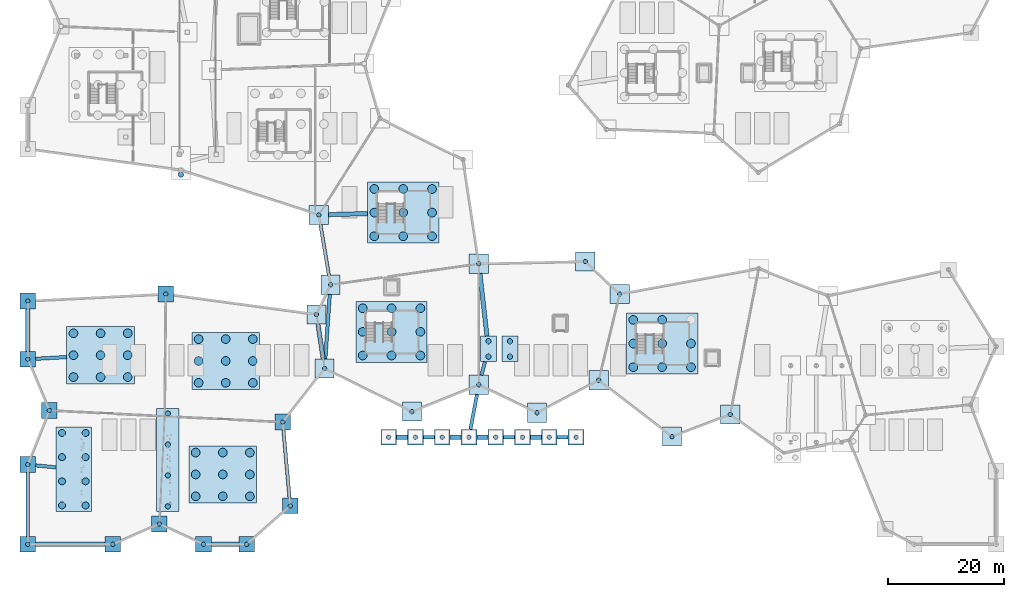
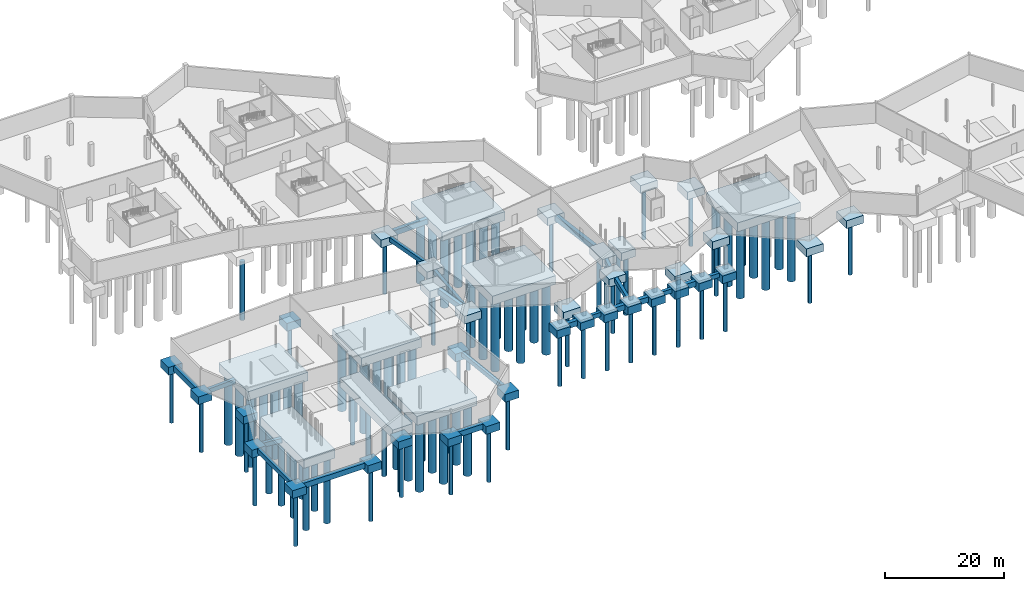
# One storey, part 1 of 37: 103 piles, 64 footings.
"""IFC4 building model written with IfcOpenShell, lengths in metres."""

from ifc_helpers import new_model, si_unit, direction, frame, origin, origin_2d, place, context, subcontext, project, spatial, rectangle, circle, extrude, material, material_profile, profile_set, type_object, element, save


model = new_model("IFC4")

# Units and contexts
model_context = context("Model", 3, precision=1e-05, world=origin(), true_north=direction((0.0, 1.0)))
body_context = subcontext(model_context, "Body", "Model", "MODEL_VIEW")
ifc_project = project(units=[si_unit("LENGTHUNIT", "METRE"), si_unit("AREAUNIT", "SQUARE_METRE"), si_unit("VOLUMEUNIT", "CUBIC_METRE"), si_unit("PLANEANGLEUNIT", "RADIAN"), si_unit("MASSUNIT", "GRAM", prefix="KILO")], contexts=[model_context])

# Site, building, storey
site_placement = place(None, origin())
site = spatial("IfcSite", under=ifc_project, at=site_placement, CompositionType="ELEMENT")
building_placement = place(site_placement, origin())
building = spatial("IfcBuilding", under=site, at=building_placement, Name="Tameran Prism Museum", CompositionType="ELEMENT")
storey_placement = place(building_placement, frame((0.0, 0.0, -4.5)))
storey = spatial("IfcBuildingStorey", under=building, at=storey_placement, Name="B1", CompositionType="ELEMENT", Elevation=-4.5)

# Footings
ifc_material_1 = material(Name="Concrete N40 (40 MPa)", Category="concrete")
ifc_material_profile_1 = material_profile(ifc_material_1, rectangle(XDim=0.60009765625, YDim=0.89990234375, at=origin_2d()))
ifc_profile_set_1 = profile_set([ifc_material_profile_1])
footing_type_1 = type_object("IfcFootingType", Name="FT-GB600", PredefinedType="FOOTING_BEAM", material=ifc_profile_set_1)
footing_1_placement = place(storey_placement, frame((0.0, 1.35009765625, -0.8701171875), z_axis=(0.0, 1.0, 0.0), x_axis=(-1.0, 0.0, 0.0)))
element("IfcFooting", 1, at=footing_1_placement, inside=storey, type_object=footing_type_1, Name="Ground Beam GB-001", PredefinedType="FOOTING_BEAM", context=body_context, shape_type="SweptSolid", body=[
    extrude(rectangle(XDim=0.60009765625, YDim=0.89990234375, at=origin_2d()), origin(), (0.0, 0.0, 1.0), 11.0),
])
footing_2_placement = place(storey_placement, frame((1.35009765625, 13.56298828125, -0.8701171875), z_axis=(0.994923862367, -0.100630552485, 0.0), x_axis=(0.100630552485, 0.994923862367, 0.0)))
element("IfcFooting", 2, at=footing_2_placement, inside=storey, type_object=footing_type_1, Name="Ground Beam GB-003", PredefinedType="FOOTING_BEAM", context=body_context, shape_type="SweptSolid", body=[
    extrude(rectangle(XDim=0.60009765625, YDim=0.89990234375, at=origin_2d()), origin(), (0.0, 0.0, 1.0), 3.517822265625),
])
footing_3_placement = place(storey_placement, frame((1.35009765625, 31.8759765625, -0.8701171875), z_axis=(0.998433733687, 0.055947112842, 0.0), x_axis=(-0.055947112842, 0.998433733687, 0.0)))
element("IfcFooting", 3, at=footing_3_placement, inside=storey, type_object=footing_type_1, Name="Ground Beam GB-005", PredefinedType="FOOTING_BEAM", context=body_context, shape_type="SweptSolid", body=[
    extrude(rectangle(XDim=0.60009765625, YDim=0.89990234375, at=origin_2d()), origin(), (0.0, 0.0, 1.0), 5.328125),
])
footing_4_placement = place(storey_placement, frame((43.922119140625, 19.64990234375, -0.8701171875), z_axis=(0.089883638003, -0.995952273766, 0.0), x_axis=(0.995952273766, 0.089883638003, 0.0)))
element("IfcFooting", 4, at=footing_4_placement, inside=storey, type_object=footing_type_1, Name="Ground Beam GB-021", PredefinedType="FOOTING_BEAM", context=body_context, shape_type="SweptSolid", body=[
    extrude(rectangle(XDim=0.60009765625, YDim=0.89990234375, at=origin_2d()), origin(), (0.0, 0.0, 1.0), 11.74755859375),
])
footing_5_placement = place(storey_placement, frame((50.27490234375, 54.949951171875, -0.8701171875), z_axis=(0.164421430811, -0.986390182986, 0.0), x_axis=(0.986390182986, 0.164421430811, 0.0)))
element("IfcFooting", 5, at=footing_5_placement, inside=storey, type_object=footing_type_1, Name="Ground Beam GB-023", PredefinedType="FOOTING_BEAM", context=body_context, shape_type="SweptSolid", body=[
    extrude(rectangle(XDim=0.60009765625, YDim=0.89990234375, at=origin_2d()), origin(), (0.0, 0.0, 1.0), 8.820068359375),
])
footing_6_placement = place(storey_placement, frame((51.114990234375, 31.85009765625, -0.8701171875), z_axis=(0.069205718712, 0.99760241003, 0.0), x_axis=(-0.99760241003, 0.069205718712, 0.0)))
element("IfcFooting", 6, at=footing_6_placement, inside=storey, type_object=footing_type_1, Name="Ground Beam GB-025", PredefinedType="FOOTING_BEAM", context=body_context, shape_type="SweptSolid", body=[
    extrude(rectangle(XDim=0.60009765625, YDim=0.89990234375, at=origin_2d()), origin(), (0.0, 0.0, 1.0), 11.12646484375),
])
footing_7_placement = place(storey_placement, frame((67.949951171875, 18.39990234375, -0.8701171875), z_axis=(1.0, 0.0, 0.0), x_axis=(0.0, 1.0, 0.0)))
element("IfcFooting", 7, at=footing_7_placement, inside=storey, type_object=footing_type_1, Name="Ground Beam GB-027", PredefinedType="FOOTING_BEAM", context=body_context, shape_type="SweptSolid", body=[
    extrude(rectangle(XDim=0.60009765625, YDim=0.89990234375, at=origin_2d()), origin(), (0.0, 0.0, 1.0), 1.900146484375),
])
footing_8_placement = place(storey_placement, frame((76.054931640625, 19.75, -0.8701171875), z_axis=(0.185563021119, 0.982632365228, 0.0), x_axis=(-0.982632365228, 0.185563021119, 0.0)))
element("IfcFooting", 8, at=footing_8_placement, inside=storey, type_object=footing_type_1, Name="Ground Beam GB-029", PredefinedType="FOOTING_BEAM", context=body_context, shape_type="SweptSolid", body=[
    extrude(rectangle(XDim=0.60009765625, YDim=0.89990234375, at=origin_2d()), origin(), (0.0, 0.0, 1.0), 6.10595703125),
])
footing_9_placement = place(storey_placement, frame((77.94091796875, 29.050048828125, -0.8701171875), z_axis=(0.258598895257, 0.965984788375, 0.0), x_axis=(-0.965984788375, 0.258598895257, 0.0)))
element("IfcFooting", 9, at=footing_9_placement, inside=storey, type_object=footing_type_1, Name="Ground Beam GB-031", PredefinedType="FOOTING_BEAM", context=body_context, shape_type="SweptSolid", body=[
    extrude(rectangle(XDim=0.60009765625, YDim=0.89990234375, at=origin_2d()), origin(), (0.0, 0.0, 1.0), 2.40185546875),
])
footing_10_placement = place(storey_placement, frame((81.75, 18.39990234375, -0.8701171875), z_axis=(1.0, 0.0, 0.0), x_axis=(0.0, 1.0, 0.0)))
element("IfcFooting", 10, at=footing_10_placement, inside=storey, type_object=footing_type_1, Name="Ground Beam GB-033", PredefinedType="FOOTING_BEAM", context=body_context, shape_type="SweptSolid", body=[
    extrude(rectangle(XDim=0.60009765625, YDim=0.89990234375, at=origin_2d()), origin(), (0.0, 0.0, 1.0), 1.89990234375),
])
footing_11_placement = place(storey_placement, frame((90.949951171875, 18.39990234375, -0.8701171875), z_axis=(1.0, 0.0, 0.0), x_axis=(0.0, 1.0, 0.0)))
element("IfcFooting", 11, at=footing_11_placement, inside=storey, type_object=footing_type_1, Name="Ground Beam GB-035", PredefinedType="FOOTING_BEAM", context=body_context, shape_type="SweptSolid", body=[
    extrude(rectangle(XDim=0.60009765625, YDim=0.89990234375, at=origin_2d()), origin(), (0.0, 0.0, 1.0), 1.900146484375),
])
ifc_material_2 = material(Name="Concrete N40 (40 MPa)", Category="concrete")
ifc_material_profile_2 = material_profile(ifc_material_2, rectangle(XDim=0.75, YDim=1.10009765625, at=origin_2d()))
ifc_profile_set_2 = profile_set([ifc_material_profile_2])
footing_type_2 = type_object("IfcFootingType", Name="FT-GB750", PredefinedType="FOOTING_BEAM", material=ifc_profile_set_2)
footing_12_placement = place(storey_placement, frame((1.35009765625, 0.0, -0.969970703125), z_axis=(1.0, 0.0, 0.0), x_axis=(0.0, 1.0, 0.0)))
element("IfcFooting", 12, at=footing_12_placement, inside=storey, type_object=footing_type_2, Name="Ground Beam GB-002", PredefinedType="FOOTING_BEAM", context=body_context, shape_type="SweptSolid", body=[
    extrude(rectangle(XDim=0.75, YDim=1.10009765625, at=origin_2d()), origin(), (0.0, 0.0, 1.0), 11.89990234375),
])
footing_13_placement = place(storey_placement, frame((0.0, 33.14990234375, -0.969970703125), z_axis=(0.0, 1.0, 0.0), x_axis=(-1.0, 0.0, 0.0)))
element("IfcFooting", 13, at=footing_13_placement, inside=storey, type_object=footing_type_2, Name="Ground Beam GB-004", PredefinedType="FOOTING_BEAM", context=body_context, shape_type="SweptSolid", body=[
    extrude(rectangle(XDim=0.75, YDim=1.10009765625, at=origin_2d()), origin(), (0.0, 0.0, 1.0), 7.300048828125),
])
footing_14_placement = place(storey_placement, frame((31.550048828125, 0.0, -0.969970703125), z_axis=(1.0, 0.0, 0.0), x_axis=(0.0, 1.0, 0.0)))
element("IfcFooting", 14, at=footing_14_placement, inside=storey, type_object=footing_type_2, Name="Ground Beam GB-016", PredefinedType="FOOTING_BEAM", context=body_context, shape_type="SweptSolid", body=[
    extrude(rectangle(XDim=0.75, YDim=1.10009765625, at=origin_2d()), origin(), (0.0, 0.0, 1.0), 4.699951171875),
])
footing_15_placement = place(storey_placement, frame((49.847900390625, 37.85009765625, -0.969970703125), z_axis=(0.14899363954, -0.988838154288, 0.0), x_axis=(0.988838154288, 0.14899363954, 0.0)))
element("IfcFooting", 15, at=footing_15_placement, inside=storey, type_object=footing_type_2, Name="Ground Beam GB-022", PredefinedType="FOOTING_BEAM", context=body_context, shape_type="SweptSolid", body=[
    extrude(rectangle(XDim=0.75, YDim=1.10009765625, at=origin_2d()), origin(), (0.0, 0.0, 1.0), 6.067626953125),
])
footing_16_placement = place(storey_placement, frame((51.64990234375, 56.64599609375, -0.969970703125), z_axis=(0.999621055778, 0.027527165599, 0.0), x_axis=(-0.027527165599, 0.999621055778, 0.0)))
element("IfcFooting", 16, at=footing_16_placement, inside=storey, type_object=footing_type_2, Name="Ground Beam GB-024", PredefinedType="FOOTING_BEAM", context=body_context, shape_type="SweptSolid", body=[
    extrude(rectangle(XDim=0.75, YDim=1.10009765625, at=origin_2d()), origin(), (0.0, 0.0, 1.0), 6.72265625),
])
for number, where, z_axis, x_axis, name in (
    (17, (63.35009765625, 18.39990234375, -0.969970703125), (1.0, 0.0, 0.0), (0.0, 1.0, 0.0), "Ground Beam GB-026"),
    (18, (72.550048828125, 18.39990234375, -0.969970703125), (1.0, 0.0, 0.0), (0.0, 1.0, 0.0), "Ground Beam GB-028"),
):
    element("IfcFooting", number, at=place(storey_placement, frame(where, z_axis=z_axis, x_axis=x_axis)), inside=storey, type_object=footing_type_2, Name=name, PredefinedType="FOOTING_BEAM", context=body_context, shape_type="SweptSolid", body=[
        extrude(rectangle(XDim=0.75, YDim=1.10009765625, at=origin_2d()), origin(), (0.0, 0.0, 1.0), 1.89990234375),
    ])
footing_17_placement = place(storey_placement, frame((77.14990234375, 18.39990234375, -0.969970703125), z_axis=(1.0, 0.0, 0.0), x_axis=(0.0, 1.0, 0.0)))
element("IfcFooting", 19, at=footing_17_placement, inside=storey, type_object=footing_type_2, Name="Ground Beam GB-030", PredefinedType="FOOTING_BEAM", context=body_context, shape_type="SweptSolid", body=[
    extrude(rectangle(XDim=0.75, YDim=1.10009765625, at=origin_2d()), origin(), (0.0, 0.0, 1.0), 1.900146484375),
])
footing_18_placement = place(storey_placement, frame((77.68603515625, 46.550048828125, -0.969970703125), z_axis=(0.112096173966, -0.99369736227, 0.0), x_axis=(0.99369736227, 0.112096173966, 0.0)))
element("IfcFooting", 20, at=footing_18_placement, inside=storey, type_object=footing_type_2, Name="Ground Beam GB-032", PredefinedType="FOOTING_BEAM", context=body_context, shape_type="SweptSolid", body=[
    extrude(rectangle(XDim=0.75, YDim=1.10009765625, at=origin_2d()), origin(), (0.0, 0.0, 1.0), 10.848388671875),
])
footing_19_placement = place(storey_placement, frame((86.35009765625, 18.39990234375, -0.969970703125), z_axis=(1.0, 0.0, 0.0), x_axis=(0.0, 1.0, 0.0)))
element("IfcFooting", 21, at=footing_19_placement, inside=storey, type_object=footing_type_2, Name="Ground Beam GB-034", PredefinedType="FOOTING_BEAM", context=body_context, shape_type="SweptSolid", body=[
    extrude(rectangle(XDim=0.75, YDim=1.10009765625, at=origin_2d()), origin(), (0.0, 0.0, 1.0), 1.89990234375),
])
ifc_material_3 = material(Name="Concrete N40 (40 MPa)", Category="concrete")
footing_type_3 = type_object("IfcFootingType", Name="FT-PC-1166x986x180", PredefinedType="PILE_CAP", material=ifc_material_3)
for number, where, z_axis, x_axis, name in (
    (22, (12.5, 32.5, -2.22021484375), (0.0, 0.0, 1.0), (1.0, 0.0, 0.0), "Pile Cap PC-12"),
    (23, (33.5, 12.0, -2.22021484375), (0.0, 0.0, 1.0), (1.0, 0.0, 0.0), "Pile Cap PC-27"),
    (24, (34.0, 31.5, -2.22021484375), (0.0, 0.0, 1.0), (1.0, 0.0, 0.0), "Pile Cap PC-28"),
):
    element("IfcFooting", number, at=place(storey_placement, frame(where, z_axis=z_axis, x_axis=x_axis)), inside=storey, type_object=footing_type_3, Name=name, PredefinedType="PILE_CAP", context=body_context, shape_type="SweptSolid", body=[
        extrude(rectangle(XDim=11.659912109375, YDim=9.860107421875, at=origin_2d()), origin(), (0.0, 0.0, 1.0), 1.800048828125),
    ])
ifc_material_4 = material(Name="Concrete N40 (40 MPa)", Category="concrete")
footing_type_4 = type_object("IfcFootingType", Name="FT-PC-1226x1046x180", PredefinedType="PILE_CAP", material=ifc_material_4)
for number, where, z_axis, x_axis, name in (
    (25, (62.5, 36.5, -2.22021484375), (0.0, 0.0, 1.0), (1.0, 0.0, 0.0), "Pile Cap PC-45"),
    (26, (64.5, 57.0, -2.22021484375), (0.0, 0.0, 1.0), (1.0, 0.0, 0.0), "Pile Cap PC-46"),
    (27, (109.0, 34.5, -2.22021484375), (0.0, 0.0, 1.0), (1.0, 0.0, 0.0), "Pile Cap PC-72"),
):
    element("IfcFooting", number, at=place(storey_placement, frame(where, z_axis=z_axis, x_axis=x_axis)), inside=storey, type_object=footing_type_4, Name=name, PredefinedType="PILE_CAP", context=body_context, shape_type="SweptSolid", body=[
        extrude(rectangle(XDim=12.260009765625, YDim=10.4599609375, at=origin_2d()), origin(), (0.0, 0.0, 1.0), 1.800048828125),
    ])
ifc_material_5 = material(Name="Concrete N40 (40 MPa)", Category="concrete")
footing_type_5 = type_object("IfcFootingType", Name="FT-PC-270x270x160", PredefinedType="PILE_CAP", material=ifc_material_5)
for number, where, z_axis, x_axis, name in (
    (28, (0.0, 0.0, -2.02001953125), (0.0, 0.0, 1.0), (1.0, 0.0, 0.0), "Pile Cap PC-01"),
    (29, (0.0, 13.699951171875, -2.02001953125), (0.0, 0.0, 1.0), (1.0, 0.0, 0.0), "Pile Cap PC-02"),
    (30, (0.0, 31.800048828125, -2.02001953125), (0.0, 0.0, 1.0), (1.0, 0.0, 0.0), "Pile Cap PC-03"),
    (31, (0.0, 41.800048828125, -2.02001953125), (0.0, 0.0, 1.0), (1.0, 0.0, 0.0), "Pile Cap PC-04"),
    (32, (3.699951171875, 23.0, -2.02001953125), (0.0, 0.0, 1.0), (1.0, 0.0, 0.0), "Pile Cap PC-09"),
    (33, (14.60009765625, 0.0, -2.02001953125), (0.0, 0.0, 1.0), (1.0, 0.0, 0.0), "Pile Cap PC-16"),
    (34, (22.60009765625, 3.5, -2.02001953125), (0.0, 0.0, 1.0), (1.0, 0.0, 0.0), "Pile Cap PC-21"),
    (35, (23.699951171875, 43.0, -2.02001953125), (0.0, 0.0, 1.0), (1.0, 0.0, 0.0), "Pile Cap PC-23"),
    (36, (30.199951171875, 0.0, -2.02001953125), (0.0, 0.0, 1.0), (1.0, 0.0, 0.0), "Pile Cap PC-29"),
    (37, (37.60009765625, 0.0, -2.02001953125), (0.0, 0.0, 1.0), (1.0, 0.0, 0.0), "Pile Cap PC-34"),
    (38, (43.800048828125, 21.0, -2.02001953125), (0.0, 0.0, 1.0), (1.0, 0.0, 0.0), "Pile Cap PC-38"),
    (39, (45.10009765625, 6.60009765625, -2.02001953125), (0.0, 0.0, 1.0), (1.0, 0.0, 0.0), "Pile Cap PC-39"),
    (40, (62.0, 18.39990234375, -2.02001953125), (0.0, 0.0, 1.0), (1.0, 0.0, 0.0), "Pile Cap PC-48"),
    (41, (66.60009765625, 18.39990234375, -2.02001953125), (0.0, 0.0, 1.0), (1.0, 0.0, 0.0), "Pile Cap PC-51"),
    (42, (71.199951171875, 18.39990234375, -2.02001953125), (0.0, 0.0, 1.0), (1.0, 0.0, 0.0), "Pile Cap PC-52"),
    (43, (75.800048828125, 18.39990234375, -2.02001953125), (0.0, 0.0, 1.0), (1.0, 0.0, 0.0), "Pile Cap PC-54"),
    (44, (80.39990234375, 18.39990234375, -2.02001953125), (0.0, 0.0, 1.0), (1.0, 0.0, 0.0), "Pile Cap PC-58"),
    (45, (85.0, 18.39990234375, -2.02001953125), (0.0, 0.0, 1.0), (1.0, 0.0, 0.0), "Pile Cap PC-60"),
    (46, (89.60009765625, 18.39990234375, -2.02001953125), (0.0, 0.0, 1.0), (1.0, 0.0, 0.0), "Pile Cap PC-62"),
    (47, (94.199951171875, 18.39990234375, -2.02001953125), (0.0, 0.0, 1.0), (1.0, 0.0, 0.0), "Pile Cap PC-64"),
):
    element("IfcFooting", number, at=place(storey_placement, frame(where, z_axis=z_axis, x_axis=x_axis)), inside=storey, type_object=footing_type_5, Name=name, PredefinedType="PILE_CAP", context=body_context, shape_type="SweptSolid", body=[
        extrude(rectangle(XDim=2.699951171875, YDim=2.699951171875, at=origin_2d()), origin(), (0.0, 0.0, 1.0), 1.60009765625),
    ])
ifc_material_6 = material(Name="Concrete N40 (40 MPa)", Category="concrete")
footing_type_6 = type_object("IfcFootingType", Name="FT-PC-270x440x160", PredefinedType="PILE_CAP", material=ifc_material_6)
for number, where, z_axis, x_axis, name in (
    (48, (79.14990234375, 33.570068359375, -2.02001953125), (0.0, 0.0, 1.0), (1.0, 0.0, 0.0), "Pile Cap PC-57"),
    (49, (82.85009765625, 33.570068359375, -2.02001953125), (0.0, 0.0, 1.0), (1.0, 0.0, 0.0), "Pile Cap PC-59"),
):
    element("IfcFooting", number, at=place(storey_placement, frame(where, z_axis=z_axis, x_axis=x_axis)), inside=storey, type_object=footing_type_6, Name=name, PredefinedType="PILE_CAP", context=body_context, shape_type="SweptSolid", body=[
        extrude(rectangle(XDim=2.699951171875, YDim=4.39990234375, at=origin_2d()), origin(), (0.0, 0.0, 1.0), 1.60009765625),
    ])
ifc_material_7 = material(Name="Concrete N40 (40 MPa)", Category="concrete")
footing_type_7 = type_object("IfcFootingType", Name="FT-PC-330x330x160", PredefinedType="PILE_CAP", material=ifc_material_7)
for number, where, z_axis, x_axis, name in (
    (50, (49.60009765625, 39.5, -2.02001953125), (0.0, 0.0, 1.0), (1.0, 0.0, 0.0), "Pile Cap PC-40"),
    (51, (50.0, 56.60009765625, -2.02001953125), (0.0, 0.0, 1.0), (1.0, 0.0, 0.0), "Pile Cap PC-41"),
    (52, (51.0, 30.199951171875, -2.02001953125), (0.0, 0.0, 1.0), (1.0, 0.0, 0.0), "Pile Cap PC-42"),
    (53, (52.0, 44.60009765625, -2.02001953125), (0.0, 0.0, 1.0), (1.0, 0.0, 0.0), "Pile Cap PC-43"),
    (54, (66.0, 22.800048828125, -2.02001953125), (0.0, 0.0, 1.0), (1.0, 0.0, 0.0), "Pile Cap PC-50"),
    (55, (77.5, 27.39990234375, -2.02001953125), (0.0, 0.0, 1.0), (1.0, 0.0, 0.0), "Pile Cap PC-55"),
    (56, (77.5, 48.199951171875, -2.02001953125), (0.0, 0.0, 1.0), (1.0, 0.0, 0.0), "Pile Cap PC-56"),
    (57, (87.5, 22.60009765625, -2.02001953125), (0.0, 0.0, 1.0), (1.0, 0.0, 0.0), "Pile Cap PC-61"),
    (58, (95.800048828125, 48.60009765625, -2.02001953125), (0.0, 0.0, 1.0), (1.0, 0.0, 0.0), "Pile Cap PC-65"),
    (59, (98.10009765625, 28.199951171875, -2.02001953125), (0.0, 0.0, 1.0), (1.0, 0.0, 0.0), "Pile Cap PC-66"),
    (60, (101.699951171875, 43.0, -2.02001953125), (0.0, 0.0, 1.0), (1.0, 0.0, 0.0), "Pile Cap PC-68"),
    (61, (110.699951171875, 18.5, -2.02001953125), (0.0, 0.0, 1.0), (1.0, 0.0, 0.0), "Pile Cap PC-73"),
    (62, (120.699951171875, 22.300048828125, -2.02001953125), (0.0, 0.0, 1.0), (1.0, 0.0, 0.0), "Pile Cap PC-78"),
):
    element("IfcFooting", number, at=place(storey_placement, frame(where, z_axis=z_axis, x_axis=x_axis)), inside=storey, type_object=footing_type_7, Name=name, PredefinedType="PILE_CAP", context=body_context, shape_type="SweptSolid", body=[
        extrude(rectangle(XDim=3.300048828125, YDim=3.300048828125, at=origin_2d()), origin(), (0.0, 0.0, 1.0), 1.60009765625),
    ])
ifc_material_8 = material(Name="Concrete N40 (40 MPa)", Category="concrete")
footing_type_8 = type_object("IfcFootingType", Name="FT-PC-380x1770x180", PredefinedType="PILE_CAP", material=ifc_material_8)
footing_20_placement = place(storey_placement, frame((24.050048828125, 14.5, -2.22021484375), z_axis=(0.0, 0.0, 1.0), x_axis=(1.0, 0.0, 0.0)))
element("IfcFooting", 63, at=footing_20_placement, inside=storey, type_object=footing_type_8, Name="Pile Cap PC-22", PredefinedType="PILE_CAP", context=body_context, shape_type="SweptSolid", body=[
    extrude(rectangle(XDim=3.800048828125, YDim=17.699951171875, at=origin_2d()), origin(), (0.0, 0.0, 1.0), 1.800048828125),
])
ifc_material_9 = material(Name="Concrete N40 (40 MPa)", Category="concrete")
footing_type_9 = type_object("IfcFootingType", Name="FT-PC-610x1450x180", PredefinedType="PILE_CAP", material=ifc_material_9)
footing_21_placement = place(storey_placement, frame((7.89990234375, 12.89990234375, -2.22021484375), z_axis=(0.0, 0.0, 1.0), x_axis=(1.0, 0.0, 0.0)))
element("IfcFooting", 64, at=footing_21_placement, inside=storey, type_object=footing_type_9, Name="Pile Cap PC-11", PredefinedType="PILE_CAP", context=body_context, shape_type="SweptSolid", body=[
    extrude(rectangle(XDim=6.10009765625, YDim=14.5, at=origin_2d()), origin(), (0.0, 0.0, 1.0), 1.800048828125),
])

# Piles
ifc_material_10 = material(Name="Concrete N40 (40 MPa)", Category="concrete")
ifc_material_profile_3 = material_profile(ifc_material_10, circle(Radius=0.60009765625, at=origin_2d()))
ifc_profile_set_3 = profile_set([ifc_material_profile_3])
pile_type_1 = type_object("IfcPileType", Name="PL-D1200", PredefinedType="BORED", material=ifc_profile_set_3)
for number, where, z_axis, x_axis, name in (
    (65, (5.8701171875, 6.669921875, -2.10009765625), (0.0, 0.0, -1.0), (1.0, 0.0, 0.0), "Bored Pile BP-011"),
    (66, (5.8701171875, 10.822998046875, -2.10009765625), (0.0, 0.0, -1.0), (1.0, 0.0, 0.0), "Bored Pile BP-012"),
    (67, (5.8701171875, 14.97705078125, -2.10009765625), (0.0, 0.0, -1.0), (1.0, 0.0, 0.0), "Bored Pile BP-013"),
    (68, (5.8701171875, 19.1298828125, -2.10009765625), (0.0, 0.0, -1.0), (1.0, 0.0, 0.0), "Bored Pile BP-014"),
    (69, (9.929931640625, 6.669921875, -2.10009765625), (0.0, 0.0, -1.0), (1.0, 0.0, 0.0), "Bored Pile BP-015"),
    (70, (9.929931640625, 10.822998046875, -2.10009765625), (0.0, 0.0, -1.0), (1.0, 0.0, 0.0), "Bored Pile BP-016"),
    (71, (9.929931640625, 14.97705078125, -2.10009765625), (0.0, 0.0, -1.0), (1.0, 0.0, 0.0), "Bored Pile BP-017"),
    (72, (9.929931640625, 19.1298828125, -2.10009765625), (0.0, 0.0, -1.0), (1.0, 0.0, 0.0), "Bored Pile BP-018"),
):
    element("IfcPile", number, at=place(storey_placement, frame(where, z_axis=z_axis, x_axis=x_axis)), inside=storey, type_object=pile_type_1, Name=name, PredefinedType="BORED", context=body_context, shape_type="SweptSolid", body=[
        extrude(circle(Radius=0.60009765625, at=origin_2d()), origin(), (0.0, 0.0, 1.0), 13.5),
    ])
ifc_material_11 = material(Name="Concrete N40 (40 MPa)", Category="concrete")
ifc_material_profile_4 = material_profile(ifc_material_11, circle(Radius=0.75, at=origin_2d()))
ifc_profile_set_4 = profile_set([ifc_material_profile_4])
pile_type_2 = type_object("IfcPileType", Name="PL-D1500", PredefinedType="BORED", material=ifc_profile_set_4)
for number, where, z_axis, x_axis, name in (
    (73, (7.840087890625, 28.739990234375, -2.10009765625), (0.0, 0.0, -1.0), (1.0, 0.0, 0.0), "Bored Pile BP-019"),
    (74, (7.840087890625, 32.5, -2.10009765625), (0.0, 0.0, -1.0), (1.0, 0.0, 0.0), "Bored Pile BP-020"),
    (75, (7.840087890625, 36.260009765625, -2.10009765625), (0.0, 0.0, -1.0), (1.0, 0.0, 0.0), "Bored Pile BP-021"),
    (76, (12.5, 28.739990234375, -2.10009765625), (0.0, 0.0, -1.0), (1.0, 0.0, 0.0), "Bored Pile BP-022"),
    (77, (12.5, 32.5, -2.10009765625), (0.0, 0.0, -1.0), (1.0, 0.0, 0.0), "Bored Pile BP-023"),
    (78, (12.5, 36.260009765625, -2.10009765625), (0.0, 0.0, -1.0), (1.0, 0.0, 0.0), "Bored Pile BP-024"),
    (79, (17.159912109375, 28.739990234375, -2.10009765625), (0.0, 0.0, -1.0), (1.0, 0.0, 0.0), "Bored Pile BP-025"),
    (80, (17.159912109375, 32.5, -2.10009765625), (0.0, 0.0, -1.0), (1.0, 0.0, 0.0), "Bored Pile BP-026"),
    (81, (17.159912109375, 36.260009765625, -2.10009765625), (0.0, 0.0, -1.0), (1.0, 0.0, 0.0), "Bored Pile BP-027"),
    (82, (28.840087890625, 8.239990234375, -2.10009765625), (0.0, 0.0, -1.0), (1.0, 0.0, 0.0), "Bored Pile BP-057"),
    (83, (28.840087890625, 12.0, -2.10009765625), (0.0, 0.0, -1.0), (1.0, 0.0, 0.0), "Bored Pile BP-058"),
    (84, (28.840087890625, 15.760009765625, -2.10009765625), (0.0, 0.0, -1.0), (1.0, 0.0, 0.0), "Bored Pile BP-059"),
    (85, (33.5, 8.239990234375, -2.10009765625), (0.0, 0.0, -1.0), (1.0, 0.0, 0.0), "Bored Pile BP-060"),
    (86, (33.5, 12.0, -2.10009765625), (0.0, 0.0, -1.0), (1.0, 0.0, 0.0), "Bored Pile BP-061"),
    (87, (33.5, 15.760009765625, -2.10009765625), (0.0, 0.0, -1.0), (1.0, 0.0, 0.0), "Bored Pile BP-062"),
    (88, (38.159912109375, 8.239990234375, -2.10009765625), (0.0, 0.0, -1.0), (1.0, 0.0, 0.0), "Bored Pile BP-063"),
    (89, (38.159912109375, 12.0, -2.10009765625), (0.0, 0.0, -1.0), (1.0, 0.0, 0.0), "Bored Pile BP-064"),
    (90, (38.159912109375, 15.760009765625, -2.10009765625), (0.0, 0.0, -1.0), (1.0, 0.0, 0.0), "Bored Pile BP-065"),
    (91, (29.340087890625, 27.739990234375, -2.10009765625), (0.0, 0.0, -1.0), (1.0, 0.0, 0.0), "Bored Pile BP-066"),
    (92, (29.340087890625, 31.5, -2.10009765625), (0.0, 0.0, -1.0), (1.0, 0.0, 0.0), "Bored Pile BP-067"),
    (93, (29.340087890625, 35.260009765625, -2.10009765625), (0.0, 0.0, -1.0), (1.0, 0.0, 0.0), "Bored Pile BP-068"),
    (94, (34.0, 27.739990234375, -2.10009765625), (0.0, 0.0, -1.0), (1.0, 0.0, 0.0), "Bored Pile BP-069"),
    (95, (34.0, 31.5, -2.10009765625), (0.0, 0.0, -1.0), (1.0, 0.0, 0.0), "Bored Pile BP-070"),
    (96, (34.0, 35.260009765625, -2.10009765625), (0.0, 0.0, -1.0), (1.0, 0.0, 0.0), "Bored Pile BP-071"),
    (97, (38.659912109375, 27.739990234375, -2.10009765625), (0.0, 0.0, -1.0), (1.0, 0.0, 0.0), "Bored Pile BP-072"),
    (98, (38.659912109375, 31.5, -2.10009765625), (0.0, 0.0, -1.0), (1.0, 0.0, 0.0), "Bored Pile BP-073"),
    (99, (38.659912109375, 35.260009765625, -2.10009765625), (0.0, 0.0, -1.0), (1.0, 0.0, 0.0), "Bored Pile BP-074"),
    (100, (57.5400390625, 32.43994140625, -2.10009765625), (0.0, 0.0, -1.0), (1.0, 0.0, 0.0), "Bored Pile BP-110"),
    (101, (57.5400390625, 36.5, -2.10009765625), (0.0, 0.0, -1.0), (1.0, 0.0, 0.0), "Bored Pile BP-111"),
    (102, (57.5400390625, 40.56005859375, -2.10009765625), (0.0, 0.0, -1.0), (1.0, 0.0, 0.0), "Bored Pile BP-112"),
    (103, (62.5, 32.43994140625, -2.10009765625), (0.0, 0.0, -1.0), (1.0, 0.0, 0.0), "Bored Pile BP-113"),
    (104, (62.5, 36.5, -2.10009765625), (0.0, 0.0, -1.0), (1.0, 0.0, 0.0), "Bored Pile BP-114"),
    (105, (62.5, 40.56005859375, -2.10009765625), (0.0, 0.0, -1.0), (1.0, 0.0, 0.0), "Bored Pile BP-115"),
    (106, (67.4599609375, 32.43994140625, -2.10009765625), (0.0, 0.0, -1.0), (1.0, 0.0, 0.0), "Bored Pile BP-116"),
    (107, (67.4599609375, 36.5, -2.10009765625), (0.0, 0.0, -1.0), (1.0, 0.0, 0.0), "Bored Pile BP-117"),
    (108, (67.4599609375, 40.56005859375, -2.10009765625), (0.0, 0.0, -1.0), (1.0, 0.0, 0.0), "Bored Pile BP-118"),
    (109, (59.5400390625, 52.93994140625, -2.10009765625), (0.0, 0.0, -1.0), (1.0, 0.0, 0.0), "Bored Pile BP-119"),
    (110, (59.5400390625, 57.0, -2.10009765625), (0.0, 0.0, -1.0), (1.0, 0.0, 0.0), "Bored Pile BP-120"),
    (111, (59.5400390625, 61.06005859375, -2.10009765625), (0.0, 0.0, -1.0), (1.0, 0.0, 0.0), "Bored Pile BP-121"),
    (112, (64.5, 52.93994140625, -2.10009765625), (0.0, 0.0, -1.0), (1.0, 0.0, 0.0), "Bored Pile BP-122"),
    (113, (64.5, 57.0, -2.10009765625), (0.0, 0.0, -1.0), (1.0, 0.0, 0.0), "Bored Pile BP-123"),
    (114, (64.5, 61.06005859375, -2.10009765625), (0.0, 0.0, -1.0), (1.0, 0.0, 0.0), "Bored Pile BP-124"),
    (115, (69.4599609375, 52.93994140625, -2.10009765625), (0.0, 0.0, -1.0), (1.0, 0.0, 0.0), "Bored Pile BP-125"),
    (116, (69.4599609375, 57.0, -2.10009765625), (0.0, 0.0, -1.0), (1.0, 0.0, 0.0), "Bored Pile BP-126"),
    (117, (69.4599609375, 61.06005859375, -2.10009765625), (0.0, 0.0, -1.0), (1.0, 0.0, 0.0), "Bored Pile BP-127"),
    (118, (104.0400390625, 30.43994140625, -2.10009765625), (0.0, 0.0, -1.0), (1.0, 0.0, 0.0), "Bored Pile BP-163"),
    (119, (104.0400390625, 34.5, -2.10009765625), (0.0, 0.0, -1.0), (1.0, 0.0, 0.0), "Bored Pile BP-164"),
    (120, (104.0400390625, 38.56005859375, -2.10009765625), (0.0, 0.0, -1.0), (1.0, 0.0, 0.0), "Bored Pile BP-165"),
    (121, (109.0, 30.43994140625, -2.10009765625), (0.0, 0.0, -1.0), (1.0, 0.0, 0.0), "Bored Pile BP-166"),
    (122, (109.0, 34.5, -2.10009765625), (0.0, 0.0, -1.0), (1.0, 0.0, 0.0), "Bored Pile BP-167"),
    (123, (109.0, 38.56005859375, -2.10009765625), (0.0, 0.0, -1.0), (1.0, 0.0, 0.0), "Bored Pile BP-168"),
    (124, (113.9599609375, 30.43994140625, -2.10009765625), (0.0, 0.0, -1.0), (1.0, 0.0, 0.0), "Bored Pile BP-169"),
    (125, (113.9599609375, 34.5, -2.10009765625), (0.0, 0.0, -1.0), (1.0, 0.0, 0.0), "Bored Pile BP-170"),
):
    element("IfcPile", number, at=place(storey_placement, frame(where, z_axis=z_axis, x_axis=x_axis)), inside=storey, type_object=pile_type_2, Name=name, PredefinedType="BORED", context=body_context, shape_type="SweptSolid", body=[
        extrude(circle(Radius=0.75, at=origin_2d()), origin(), (0.0, 0.0, 1.0), 14.5),
    ])
ifc_material_12 = material(Name="Concrete N40 (40 MPa)", Category="concrete")
ifc_material_profile_5 = material_profile(ifc_material_12, circle(Radius=0.375, at=origin_2d()))
ifc_profile_set_5 = profile_set([ifc_material_profile_5])
pile_type_3 = type_object("IfcPileType", Name="PL-D750", PredefinedType="BORED", material=ifc_profile_set_5)
for number, where, z_axis, x_axis, name in (
    (126, (0.0, 0.0, -1.89990234375), (0.0, 0.0, -1.0), (1.0, 0.0, 0.0), "Bored Pile BP-001"),
    (127, (0.0, 13.699951171875, -1.89990234375), (0.0, 0.0, -1.0), (1.0, 0.0, 0.0), "Bored Pile BP-002"),
    (128, (0.0, 31.800048828125, -1.89990234375), (0.0, 0.0, -1.0), (1.0, 0.0, 0.0), "Bored Pile BP-003"),
    (129, (0.0, 41.800048828125, -1.89990234375), (0.0, 0.0, -1.0), (1.0, 0.0, 0.0), "Bored Pile BP-004"),
    (130, (3.699951171875, 23.0, -1.89990234375), (0.0, 0.0, -1.0), (1.0, 0.0, 0.0), "Bored Pile BP-009"),
    (131, (14.60009765625, 0.0, -1.89990234375), (0.0, 0.0, -1.0), (1.0, 0.0, 0.0), "Bored Pile BP-042"),
    (132, (22.60009765625, 3.5, -1.89990234375), (0.0, 0.0, -1.0), (1.0, 0.0, 0.0), "Bored Pile BP-047"),
    (133, (23.699951171875, 43.0, -1.89990234375), (0.0, 0.0, -1.0), (1.0, 0.0, 0.0), "Bored Pile BP-052"),
    (134, (30.199951171875, 0.0, -1.89990234375), (0.0, 0.0, -1.0), (1.0, 0.0, 0.0), "Bored Pile BP-075"),
    (135, (37.60009765625, 0.0, -1.89990234375), (0.0, 0.0, -1.0), (1.0, 0.0, 0.0), "Bored Pile BP-080"),
    (136, (43.800048828125, 21.0, -1.89990234375), (0.0, 0.0, -1.0), (1.0, 0.0, 0.0), "Bored Pile BP-103"),
    (137, (45.10009765625, 6.60009765625, -1.89990234375), (0.0, 0.0, -1.0), (1.0, 0.0, 0.0), "Bored Pile BP-104"),
    (138, (49.60009765625, 39.5, -1.89990234375), (0.0, 0.0, -1.0), (1.0, 0.0, 0.0), "Bored Pile BP-105"),
    (139, (50.0, 56.60009765625, -1.89990234375), (0.0, 0.0, -1.0), (1.0, 0.0, 0.0), "Bored Pile BP-106"),
    (140, (51.0, 30.199951171875, -1.89990234375), (0.0, 0.0, -1.0), (1.0, 0.0, 0.0), "Bored Pile BP-107"),
    (141, (52.0, 44.60009765625, -1.89990234375), (0.0, 0.0, -1.0), (1.0, 0.0, 0.0), "Bored Pile BP-108"),
    (142, (62.0, 18.39990234375, -1.89990234375), (0.0, 0.0, -1.0), (1.0, 0.0, 0.0), "Bored Pile BP-129"),
    (143, (66.0, 22.800048828125, -1.89990234375), (0.0, 0.0, -1.0), (1.0, 0.0, 0.0), "Bored Pile BP-131"),
    (144, (66.60009765625, 18.39990234375, -1.89990234375), (0.0, 0.0, -1.0), (1.0, 0.0, 0.0), "Bored Pile BP-132"),
    (145, (71.199951171875, 18.39990234375, -1.89990234375), (0.0, 0.0, -1.0), (1.0, 0.0, 0.0), "Bored Pile BP-133"),
    (146, (75.800048828125, 18.39990234375, -1.89990234375), (0.0, 0.0, -1.0), (1.0, 0.0, 0.0), "Bored Pile BP-135"),
    (147, (77.5, 27.39990234375, -1.89990234375), (0.0, 0.0, -1.0), (1.0, 0.0, 0.0), "Bored Pile BP-136"),
    (148, (77.5, 48.199951171875, -1.89990234375), (0.0, 0.0, -1.0), (1.0, 0.0, 0.0), "Bored Pile BP-137"),
    (149, (80.39990234375, 18.39990234375, -1.89990234375), (0.0, 0.0, -1.0), (1.0, 0.0, 0.0), "Bored Pile BP-140"),
    (150, (85.0, 18.39990234375, -1.89990234375), (0.0, 0.0, -1.0), (1.0, 0.0, 0.0), "Bored Pile BP-143"),
    (151, (87.5, 22.60009765625, -1.89990234375), (0.0, 0.0, -1.0), (1.0, 0.0, 0.0), "Bored Pile BP-144"),
    (152, (89.60009765625, 18.39990234375, -1.89990234375), (0.0, 0.0, -1.0), (1.0, 0.0, 0.0), "Bored Pile BP-145"),
    (153, (94.199951171875, 18.39990234375, -1.89990234375), (0.0, 0.0, -1.0), (1.0, 0.0, 0.0), "Bored Pile BP-147"),
    (154, (95.800048828125, 48.60009765625, -1.89990234375), (0.0, 0.0, -1.0), (1.0, 0.0, 0.0), "Bored Pile BP-148"),
    (155, (98.10009765625, 28.199951171875, -1.89990234375), (0.0, 0.0, -1.0), (1.0, 0.0, 0.0), "Bored Pile BP-149"),
    (156, (101.699951171875, 43.0, -1.89990234375), (0.0, 0.0, -1.0), (1.0, 0.0, 0.0), "Bored Pile BP-151"),
    (157, (110.699951171875, 18.5, -1.89990234375), (0.0, 0.0, -1.0), (1.0, 0.0, 0.0), "Bored Pile BP-172"),
    (158, (120.699951171875, 22.300048828125, -1.89990234375), (0.0, 0.0, -1.0), (1.0, 0.0, 0.0), "Bored Pile BP-185"),
):
    element("IfcPile", number, at=place(storey_placement, frame(where, z_axis=z_axis, x_axis=x_axis)), inside=storey, type_object=pile_type_3, Name=name, PredefinedType="BORED", context=body_context, shape_type="SweptSolid", body=[
        extrude(circle(Radius=0.375, at=origin_2d()), origin(), (0.0, 0.0, 1.0), 11.0),
    ])
ifc_material_13 = material(Name="Concrete N40 (40 MPa)", Category="concrete")
ifc_material_profile_6 = material_profile(ifc_material_13, circle(Radius=0.449951171875, at=origin_2d()))
ifc_profile_set_6 = profile_set([ifc_material_profile_6])
pile_type_4 = type_object("IfcPileType", Name="PL-D900", PredefinedType="BORED", material=ifc_profile_set_6)
for number, where, z_axis, x_axis, name in (
    (159, (24.050048828125, 6.52001953125, -2.10009765625), (0.0, 0.0, -1.0), (1.0, 0.0, 0.0), "Bored Pile BP-048"),
    (160, (24.050048828125, 11.840087890625, -2.10009765625), (0.0, 0.0, -1.0), (1.0, 0.0, 0.0), "Bored Pile BP-049"),
    (161, (24.050048828125, 17.159912109375, -2.10009765625), (0.0, 0.0, -1.0), (1.0, 0.0, 0.0), "Bored Pile BP-050"),
    (162, (24.050048828125, 22.47998046875, -2.10009765625), (0.0, 0.0, -1.0), (1.0, 0.0, 0.0), "Bored Pile BP-051"),
    (163, (26.300048828125, 63.52001953125, -2.10009765625), (0.0, 0.0, -1.0), (1.0, 0.0, 0.0), "Bored Pile BP-053"),
    (164, (79.14990234375, 32.239990234375, -1.89990234375), (0.0, 0.0, -1.0), (1.0, 0.0, 0.0), "Bored Pile BP-138"),
    (165, (79.14990234375, 34.89990234375, -1.89990234375), (0.0, 0.0, -1.0), (1.0, 0.0, 0.0), "Bored Pile BP-139"),
    (166, (82.85009765625, 32.239990234375, -1.89990234375), (0.0, 0.0, -1.0), (1.0, 0.0, 0.0), "Bored Pile BP-141"),
    (167, (82.85009765625, 34.89990234375, -1.89990234375), (0.0, 0.0, -1.0), (1.0, 0.0, 0.0), "Bored Pile BP-142"),
):
    element("IfcPile", number, at=place(storey_placement, frame(where, z_axis=z_axis, x_axis=x_axis)), inside=storey, type_object=pile_type_4, Name=name, PredefinedType="BORED", context=body_context, shape_type="SweptSolid", body=[
        extrude(circle(Radius=0.449951171875, at=origin_2d()), origin(), (0.0, 0.0, 1.0), 12.0),
    ])

save(model, "model.ifc")
